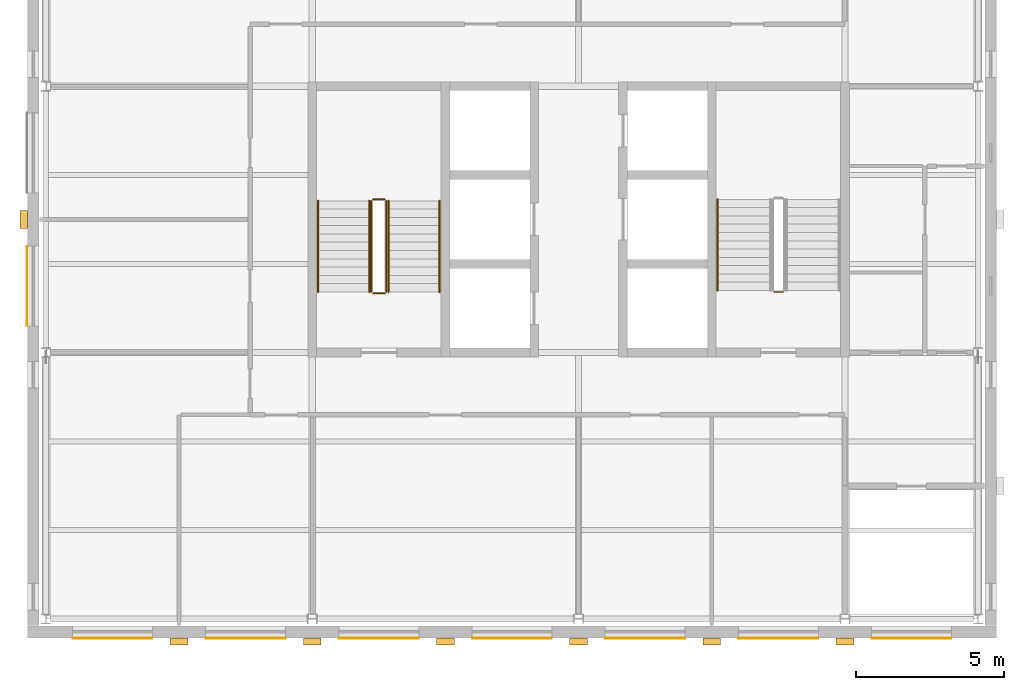
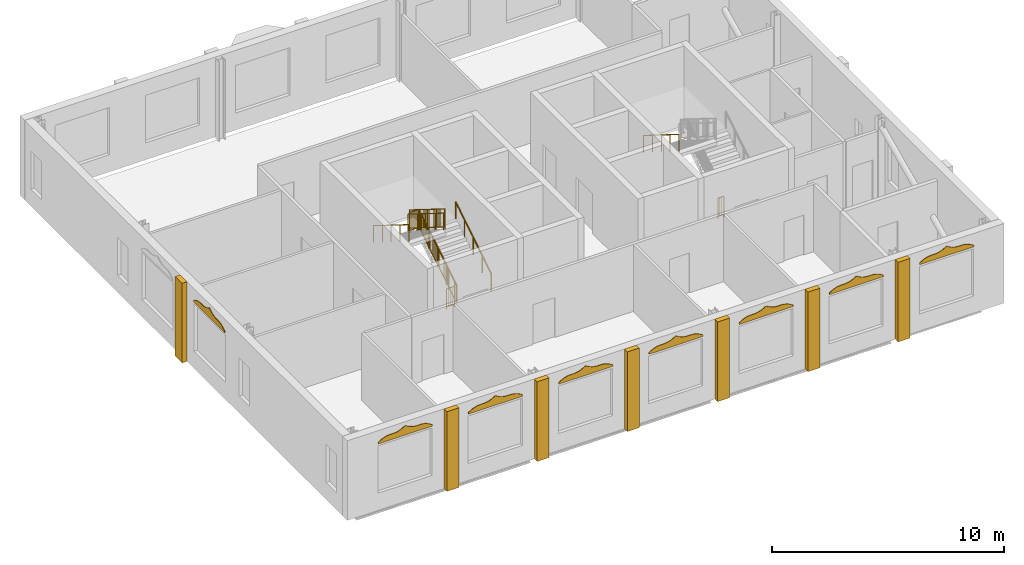
# One storey, part 8 of 9: 15 coverings, 10 railings.
"""IFC4 building model written with IfcOpenShell, lengths in metres."""

from ifc_helpers import new_model, si_unit, direction, frame, origin, origin_2d, place, context, subcontext, project, spatial, polyline, rectangle, circle, outline, extrude, material, layer, layer_set, type_object, element, save


model = new_model("IFC4")

# Units and contexts
model_context = context("Model", 3, precision=1e-05, world=origin(), true_north=direction((0.0, 1.0)))
body_context = subcontext(model_context, "Body", "Model", "MODEL_VIEW")
ifc_project = project(units=[si_unit("LENGTHUNIT", "METRE"), si_unit("AREAUNIT", "SQUARE_METRE"), si_unit("VOLUMEUNIT", "CUBIC_METRE"), si_unit("PLANEANGLEUNIT", "RADIAN"), si_unit("MASSUNIT", "GRAM", prefix="KILO")], contexts=[model_context])

# Site, building, storey
site_placement = place(None, origin())
site = spatial("IfcSite", under=ifc_project, at=site_placement, CompositionType="ELEMENT")
building_placement = place(site_placement, origin())
building = spatial("IfcBuilding", under=site, at=building_placement, Name="Hortulan Conservatory and Botanical Research Centre", CompositionType="ELEMENT")
storey_placement = place(building_placement, frame((0.0, 0.0, 40.199951171875)))
storey = spatial("IfcBuildingStorey", under=building, at=storey_placement, Name="L09", CompositionType="ELEMENT", Elevation=40.199951171875)

# Coverings
ifc_material_1 = material(Name="Faience cladding, cream glaze (non-combustible)", Category="ceramic")
ifc_layer_1 = layer(ifc_material_1, 0.030029296875)
ifc_layer_set_1 = layer_set([ifc_layer_1], Name="Faience Ogee Head Panel Cream 2700x500")
covering_type_1 = type_object("IfcCoveringType", Name="Faience Ogee Head Panel Cream 2700x500", PredefinedType="CLADDING", material=ifc_layer_set_1)
for number, where, z_axis, x_axis, name in (
    (1, (17.10009765625, -0.65087890625, 3.52001953125), (0.0, 0.0, 1.0), (-1.0, 0.0, 0.0), "Ogee head panel"),
    (2, (21.60009765625, -0.65087890625, 3.52001953125), (0.0, 0.0, 1.0), (-1.0, 0.0, 0.0), "Ogee head panel"),
):
    element("IfcCovering", number, at=place(storey_placement, frame(where, z_axis=z_axis, x_axis=x_axis)), inside=storey, type_object=covering_type_1, Name=name, PredefinedType="CLADDING", context=body_context, shape_type="SweptSolid", body=[
        extrude(outline(polyline([(0.0, 0.0), (2.699951171875, 0.0), (2.699951171875, 0.080078125), (2.58740234375, 0.148681640625), (2.47509765625, 0.208251953125), (2.362548828125, 0.252197265625), (2.25, 0.2783203125), (2.137451171875, 0.28857421875), (2.02490234375, 0.2900390625), (1.91259765625, 0.29150390625), (1.800048828125, 0.3017578125), (1.6875, 0.327880859375), (1.574951171875, 0.371826171875), (1.46240234375, 0.431396484375), (1.35009765625, 0.5), (1.237548828125, 0.431396484375), (1.125, 0.371826171875), (1.012451171875, 0.327880859375), (0.89990234375, 0.3017578125), (0.78759765625, 0.29150390625), (0.675048828125, 0.2900390625), (0.5625, 0.28857421875), (0.449951171875, 0.2783203125), (0.33740234375, 0.252197265625), (0.22509765625, 0.208251953125), (0.112548828125, 0.148681640625), (0.0, 0.080078125), (0.0, 0.0)])), frame((0.0, 0.01513671875, 0.0), z_axis=(0.0, -1.0, 0.0), x_axis=(1.0, 0.0, 0.0)), (0.0, 0.0, 1.0), 0.030029296875),
    ])
ifc_material_2 = material(Name="Faience cladding, waratah crimson glaze (non-combustible)", Category="ceramic")
ifc_layer_2 = layer(ifc_material_2, 0.030029296875)
ifc_layer_set_2 = layer_set([ifc_layer_2], Name="Faience Ogee Head Panel Crimson 2700x500")
covering_type_2 = type_object("IfcCoveringType", Name="Faience Ogee Head Panel Crimson 2700x500", PredefinedType="CLADDING", material=ifc_layer_set_2)
for number, where, z_axis, x_axis, name in (
    (3, (3.60009765625, -0.65087890625, 3.52001953125), (0.0, 0.0, 1.0), (-1.0, 0.0, 0.0), "Ogee head panel"),
    (4, (26.10009765625, -0.65087890625, 3.52001953125), (0.0, 0.0, 1.0), (-1.0, 0.0, 0.0), "Ogee head panel"),
    (5, (30.60009765625, -0.65087890625, 3.52001953125), (0.0, 0.0, 1.0), (-1.0, 0.0, 0.0), "Ogee head panel"),
):
    element("IfcCovering", number, at=place(storey_placement, frame(where, z_axis=z_axis, x_axis=x_axis)), inside=storey, type_object=covering_type_2, Name=name, PredefinedType="CLADDING", context=body_context, shape_type="SweptSolid", body=[
        extrude(outline(polyline([(0.0, 0.0), (2.699951171875, 0.0), (2.699951171875, 0.080078125), (2.58740234375, 0.148681640625), (2.47509765625, 0.208251953125), (2.362548828125, 0.252197265625), (2.25, 0.2783203125), (2.137451171875, 0.28857421875), (2.02490234375, 0.2900390625), (1.91259765625, 0.29150390625), (1.800048828125, 0.3017578125), (1.6875, 0.327880859375), (1.574951171875, 0.371826171875), (1.46240234375, 0.431396484375), (1.35009765625, 0.5), (1.237548828125, 0.431396484375), (1.125, 0.371826171875), (1.012451171875, 0.327880859375), (0.89990234375, 0.3017578125), (0.78759765625, 0.29150390625), (0.675048828125, 0.2900390625), (0.5625, 0.28857421875), (0.449951171875, 0.2783203125), (0.33740234375, 0.252197265625), (0.22509765625, 0.208251953125), (0.112548828125, 0.148681640625), (0.0, 0.080078125), (0.0, 0.0)])), frame((0.0, 0.01513671875, 0.0), z_axis=(0.0, -1.0, 0.0), x_axis=(1.0, 0.0, 0.0)), (0.0, 0.0, 1.0), 0.030029296875),
    ])
ifc_material_3 = material(Name="Faience cladding, harbour teal glaze (non-combustible)", Category="ceramic")
ifc_layer_3 = layer(ifc_material_3, 0.030029296875)
ifc_layer_set_3 = layer_set([ifc_layer_3], Name="Faience Ogee Head Panel Teal 2700x500")
covering_type_3 = type_object("IfcCoveringType", Name="Faience Ogee Head Panel Teal 2700x500", PredefinedType="CLADDING", material=ifc_layer_set_3)
for number, where, z_axis, x_axis, name in (
    (6, (8.10009765625, -0.65087890625, 3.52001953125), (0.0, 0.0, 1.0), (-1.0, 0.0, 0.0), "Ogee head panel"),
    (7, (12.60009765625, -0.65087890625, 3.52001953125), (0.0, 0.0, 1.0), (-1.0, 0.0, 0.0), "Ogee head panel"),
    (8, (-0.639892578125, 9.89990234375, 3.52001953125), (0.0, 0.0, 1.0), (0.0, 1.0, 0.0), "Ogee head panel"),
):
    element("IfcCovering", number, at=place(storey_placement, frame(where, z_axis=z_axis, x_axis=x_axis)), inside=storey, type_object=covering_type_3, Name=name, PredefinedType="CLADDING", context=body_context, shape_type="SweptSolid", body=[
        extrude(outline(polyline([(0.0, 0.0), (2.699951171875, 0.0), (2.699951171875, 0.080078125), (2.58740234375, 0.148681640625), (2.47509765625, 0.208251953125), (2.362548828125, 0.252197265625), (2.25, 0.2783203125), (2.137451171875, 0.28857421875), (2.02490234375, 0.2900390625), (1.91259765625, 0.29150390625), (1.800048828125, 0.3017578125), (1.6875, 0.327880859375), (1.574951171875, 0.371826171875), (1.46240234375, 0.431396484375), (1.35009765625, 0.5), (1.237548828125, 0.431396484375), (1.125, 0.371826171875), (1.012451171875, 0.327880859375), (0.89990234375, 0.3017578125), (0.78759765625, 0.29150390625), (0.675048828125, 0.2900390625), (0.5625, 0.28857421875), (0.449951171875, 0.2783203125), (0.33740234375, 0.252197265625), (0.22509765625, 0.208251953125), (0.112548828125, 0.148681640625), (0.0, 0.080078125), (0.0, 0.0)])), frame((0.0, 0.01513671875, 0.0), z_axis=(0.0, -1.0, 0.0), x_axis=(1.0, 0.0, 0.0)), (0.0, 0.0, 1.0), 0.030029296875),
    ])
ifc_layer_4 = layer(ifc_material_1, 0.25)
ifc_layer_set_4 = layer_set([ifc_layer_4], Name="Faience Pilaster 600x250")
covering_type_4 = type_object("IfcCoveringType", Name="Faience Pilaster 600x250", PredefinedType="CLADDING", material=ifc_layer_set_4)
for number, where, z_axis, x_axis, name in (
    (9, (27.0, -0.760986328125, 0.0), (0.0, 0.0, 1.0), (-1.0, 0.0, 0.0), "Pier"),
    (10, (22.5, -0.760986328125, 0.0), (0.0, 0.0, 1.0), (-1.0, 0.0, 0.0), "Pier"),
    (11, (18.0, -0.760986328125, 0.0), (0.0, 0.0, 1.0), (-1.0, 0.0, 0.0), "Pier"),
    (12, (13.5, -0.760986328125, 0.0), (0.0, 0.0, 1.0), (-1.0, 0.0, 0.0), "Pier"),
    (13, (9.0, -0.760986328125, 0.0), (0.0, 0.0, 1.0), (-1.0, 0.0, 0.0), "Pier"),
    (14, (4.5, -0.760986328125, 0.0), (0.0, 0.0, 1.0), (-1.0, 0.0, 0.0), "Pier"),
    (15, (-0.75, 13.5, 0.0), (0.0, 0.0, 1.0), (0.0, 1.0, 0.0), "Pier"),
):
    element("IfcCovering", number, at=place(storey_placement, frame(where, z_axis=z_axis, x_axis=x_axis)), inside=storey, type_object=covering_type_4, Name=name, PredefinedType="CLADDING", context=body_context, shape_type="SweptSolid", body=[
        extrude(rectangle(XDim=0.60009765625, YDim=0.25, at=origin_2d()), origin(), (0.0, 0.0, 1.0), 4.199951171875),
    ])

# Railings
ifc_material_4 = material(Name="Steel balustrade, bronze-charcoal paint", Category="steel")
railing_type_1 = type_object("IfcRailingType", Name="Stair Guard 1100", PredefinedType="GUARDRAIL", material=ifc_material_4)
railing_1_placement = place(storey_placement, frame((11.5, 11.050048828125, 0.175048828125)))
element("IfcRailing", 16, at=railing_1_placement, inside=storey, type_object=railing_type_1, Name="Guard T1 L09 stair 1", PredefinedType="GUARDRAIL", context=body_context, shape_type="SweptSolid", body=[
    extrude(circle(Radius=0.02392578125, at=origin_2d()), frame((0.0, 0.0, 1.076171875), z_axis=(0.0, 0.847979421464, 0.530029150871), x_axis=(-1.0, 0.0, 0.0)), (0.0, 0.0, 1.0), 3.632080078125),
    extrude(circle(Radius=0.02392578125, at=origin_2d()), frame((0.0, 0.0, 0.1240234375), z_axis=(0.0, 0.847979421464, 0.530029150871), x_axis=(-1.0, 0.0, 0.0)), (0.0, 0.0, 1.0), 3.632080078125),
    extrude(circle(Radius=0.008056640625, at=origin_2d()), frame((0.0, 0.090576171875, 0.204833984375)), (0.0, 0.0, 1.0), 0.90380859375),
    extrude(circle(Radius=0.008056640625, at=origin_2d()), frame((0.0, 0.18115234375, 0.261474609375)), (0.0, 0.0, 1.0), 0.90380859375),
    extrude(circle(Radius=0.008056640625, at=origin_2d()), frame((0.0, 0.271728515625, 0.318115234375)), (0.0, 0.0, 1.0), 0.90380859375),
    extrude(circle(Radius=0.008056640625, at=origin_2d()), frame((0.0, 0.3623046875, 0.374755859375)), (0.0, 0.0, 1.0), 0.90380859375),
    extrude(circle(Radius=0.008056640625, at=origin_2d()), frame((0.0, 0.452880859375, 0.431396484375)), (0.0, 0.0, 1.0), 0.90380859375),
    extrude(circle(Radius=0.008056640625, at=origin_2d()), frame((0.0, 0.54345703125, 0.48779296875)), (0.0, 0.0, 1.0), 0.90380859375),
    extrude(circle(Radius=0.008056640625, at=origin_2d()), frame((0.0, 0.634033203125, 0.54443359375)), (0.0, 0.0, 1.0), 0.90380859375),
    extrude(circle(Radius=0.008056640625, at=origin_2d()), frame((0.0, 0.724609375, 0.60107421875)), (0.0, 0.0, 1.0), 0.90380859375),
    extrude(circle(Radius=0.008056640625, at=origin_2d()), frame((0.0, 0.815185546875, 0.65771484375)), (0.0, 0.0, 1.0), 0.90380859375),
    extrude(circle(Radius=0.008056640625, at=origin_2d()), frame((0.0, 0.90576171875, 0.71435546875)), (0.0, 0.0, 1.0), 0.90380859375),
    extrude(circle(Radius=0.008056640625, at=origin_2d()), frame((0.0, 0.996337890625, 0.77099609375)), (0.0, 0.0, 1.0), 0.90380859375),
    extrude(circle(Radius=0.008056640625, at=origin_2d()), frame((0.0, 1.0869140625, 0.82763671875)), (0.0, 0.0, 1.0), 0.90380859375),
    extrude(circle(Radius=0.008056640625, at=origin_2d()), frame((0.0, 1.177490234375, 0.88427734375)), (0.0, 0.0, 1.0), 0.90380859375),
    extrude(circle(Radius=0.008056640625, at=origin_2d()), frame((0.0, 1.26806640625, 0.94091796875)), (0.0, 0.0, 1.0), 0.90380859375),
    extrude(circle(Radius=0.008056640625, at=origin_2d()), frame((0.0, 1.358642578125, 0.99755859375)), (0.0, 0.0, 1.0), 0.90380859375),
    extrude(circle(Radius=0.008056640625, at=origin_2d()), frame((0.0, 1.44921875, 1.05419921875)), (0.0, 0.0, 1.0), 0.90380859375),
    extrude(circle(Radius=0.008056640625, at=origin_2d()), frame((0.0, 1.5400390625, 1.11083984375)), (0.0, 0.0, 1.0), 0.90380859375),
    extrude(circle(Radius=0.008056640625, at=origin_2d()), frame((0.0, 1.630615234375, 1.167236328125)), (0.0, 0.0, 1.0), 0.90380859375),
    extrude(circle(Radius=0.008056640625, at=origin_2d()), frame((0.0, 1.72119140625, 1.223876953125)), (0.0, 0.0, 1.0), 0.90380859375),
    extrude(circle(Radius=0.008056640625, at=origin_2d()), frame((0.0, 1.811767578125, 1.280517578125)), (0.0, 0.0, 1.0), 0.90380859375),
    extrude(circle(Radius=0.008056640625, at=origin_2d()), frame((0.0, 1.90234375, 1.337158203125)), (0.0, 0.0, 1.0), 0.90380859375),
    extrude(circle(Radius=0.008056640625, at=origin_2d()), frame((0.0, 1.992919921875, 1.393798828125)), (0.0, 0.0, 1.0), 0.90380859375),
    extrude(circle(Radius=0.008056640625, at=origin_2d()), frame((0.0, 2.08349609375, 1.450439453125)), (0.0, 0.0, 1.0), 0.90380859375),
    extrude(circle(Radius=0.008056640625, at=origin_2d()), frame((0.0, 2.174072265625, 1.507080078125)), (0.0, 0.0, 1.0), 0.90380859375),
    extrude(circle(Radius=0.008056640625, at=origin_2d()), frame((0.0, 2.2646484375, 1.563720703125)), (0.0, 0.0, 1.0), 0.90380859375),
    extrude(circle(Radius=0.008056640625, at=origin_2d()), frame((0.0, 2.355224609375, 1.620361328125)), (0.0, 0.0, 1.0), 0.90380859375),
    extrude(circle(Radius=0.008056640625, at=origin_2d()), frame((0.0, 2.44580078125, 1.677001953125)), (0.0, 0.0, 1.0), 0.90380859375),
    extrude(circle(Radius=0.008056640625, at=origin_2d()), frame((0.0, 2.536376953125, 1.733642578125)), (0.0, 0.0, 1.0), 0.90380859375),
    extrude(circle(Radius=0.008056640625, at=origin_2d()), frame((0.0, 2.626953125, 1.7900390625)), (0.0, 0.0, 1.0), 0.90380859375),
    extrude(circle(Radius=0.008056640625, at=origin_2d()), frame((0.0, 2.717529296875, 1.8466796875)), (0.0, 0.0, 1.0), 0.90380859375),
    extrude(circle(Radius=0.008056640625, at=origin_2d()), frame((0.0, 2.80810546875, 1.9033203125)), (0.0, 0.0, 1.0), 0.90380859375),
    extrude(circle(Radius=0.008056640625, at=origin_2d()), frame((0.0, 2.898681640625, 1.9599609375)), (0.0, 0.0, 1.0), 0.90380859375),
    extrude(circle(Radius=0.008056640625, at=origin_2d()), frame((0.0, 2.9892578125, 2.0166015625)), (0.0, 0.0, 1.0), 0.90380859375),
    extrude(circle(Radius=0.02099609375, at=origin_2d()), origin(), (0.0, 0.0, 1.0), 1.052001953125),
    extrude(circle(Radius=0.02099609375, at=origin_2d()), frame((0.0, 0.77001953125, 0.481201171875)), (0.0, 0.0, 1.0), 1.052001953125),
    extrude(circle(Radius=0.02099609375, at=origin_2d()), frame((0.0, 1.5400390625, 0.96240234375)), (0.0, 0.0, 1.0), 1.052001953125),
    extrude(circle(Radius=0.02099609375, at=origin_2d()), frame((0.0, 2.309814453125, 1.44384765625)), (0.0, 0.0, 1.0), 1.052001953125),
    extrude(circle(Radius=0.02099609375, at=origin_2d()), frame((0.0, 3.079833984375, 1.925048828125)), (0.0, 0.0, 1.0), 1.052001953125),
])
railing_2_placement = place(storey_placement, frame((11.449951171875, 14.179931640625, 2.10009765625)))
element("IfcRailing", 17, at=railing_2_placement, inside=storey, type_object=railing_type_1, Name="Guard T1 L09 stair 2", PredefinedType="GUARDRAIL", context=body_context, shape_type="SweptSolid", body=[
    extrude(circle(Radius=0.02392578125, at=origin_2d()), frame((0.0, 0.0, 1.076171875), z_axis=(-1.0, 0.0, 0.0), x_axis=(0.0, -1.0, 0.0)), (0.0, 0.0, 1.0), 0.39990234375),
    extrude(circle(Radius=0.02392578125, at=origin_2d()), frame((0.0, 0.0, 0.1240234375), z_axis=(-1.0, 0.0, 0.0), x_axis=(0.0, -1.0, 0.0)), (0.0, 0.0, 1.0), 0.39990234375),
    extrude(circle(Radius=0.008056640625, at=origin_2d()), frame((-0.10009765625, 0.0, 0.148193359375)), (0.0, 0.0, 1.0), 0.90380859375),
    extrude(circle(Radius=0.008056640625, at=origin_2d()), frame((-0.199951171875, 0.0, 0.148193359375)), (0.0, 0.0, 1.0), 0.90380859375),
    extrude(circle(Radius=0.008056640625, at=origin_2d()), frame((-0.2998046875, 0.0, 0.148193359375)), (0.0, 0.0, 1.0), 0.90380859375),
    extrude(circle(Radius=0.02099609375, at=origin_2d()), origin(), (0.0, 0.0, 1.0), 1.052001953125),
    extrude(circle(Radius=0.02099609375, at=origin_2d()), frame((-0.39990234375, 0.0, 0.0)), (0.0, 0.0, 1.0), 1.052001953125),
])
railing_3_placement = place(storey_placement, frame((11.0, 14.1298828125, 2.275146484375)))
element("IfcRailing", 18, at=railing_3_placement, inside=storey, type_object=railing_type_1, Name="Guard T1 L09 stair 3", PredefinedType="GUARDRAIL", context=body_context, shape_type="SweptSolid", body=[
    extrude(circle(Radius=0.02392578125, at=origin_2d()), frame((0.0, 0.0, 1.076171875), z_axis=(0.0, -0.848009633417, 0.529980812513), x_axis=(1.0, 0.0, 0.0)), (0.0, 0.0, 1.0), 3.6318359375),
    extrude(circle(Radius=0.02392578125, at=origin_2d()), frame((0.0, 0.0, 0.1240234375), z_axis=(0.0, -0.848009633417, 0.529980812513), x_axis=(1.0, 0.0, 0.0)), (0.0, 0.0, 1.0), 3.6318359375),
    extrude(circle(Radius=0.008056640625, at=origin_2d()), frame((0.0, -0.090576171875, 0.204833984375)), (0.0, 0.0, 1.0), 0.90380859375),
    extrude(circle(Radius=0.008056640625, at=origin_2d()), frame((0.0, -0.18115234375, 0.261474609375)), (0.0, 0.0, 1.0), 0.90380859375),
    extrude(circle(Radius=0.008056640625, at=origin_2d()), frame((0.0, -0.271728515625, 0.318115234375)), (0.0, 0.0, 1.0), 0.90380859375),
    extrude(circle(Radius=0.008056640625, at=origin_2d()), frame((0.0, -0.3623046875, 0.374755859375)), (0.0, 0.0, 1.0), 0.90380859375),
    extrude(circle(Radius=0.008056640625, at=origin_2d()), frame((0.0, -0.452880859375, 0.43115234375)), (0.0, 0.0, 1.0), 0.90380859375),
    extrude(circle(Radius=0.008056640625, at=origin_2d()), frame((0.0, -0.54345703125, 0.48779296875)), (0.0, 0.0, 1.0), 0.90380859375),
    extrude(circle(Radius=0.008056640625, at=origin_2d()), frame((0.0, -0.634033203125, 0.54443359375)), (0.0, 0.0, 1.0), 0.90380859375),
    extrude(circle(Radius=0.008056640625, at=origin_2d()), frame((0.0, -0.724609375, 0.60107421875)), (0.0, 0.0, 1.0), 0.90380859375),
    extrude(circle(Radius=0.008056640625, at=origin_2d()), frame((0.0, -0.815185546875, 0.65771484375)), (0.0, 0.0, 1.0), 0.90380859375),
    extrude(circle(Radius=0.008056640625, at=origin_2d()), frame((0.0, -0.90576171875, 0.71435546875)), (0.0, 0.0, 1.0), 0.90380859375),
    extrude(circle(Radius=0.008056640625, at=origin_2d()), frame((0.0, -0.996337890625, 0.77099609375)), (0.0, 0.0, 1.0), 0.90380859375),
    extrude(circle(Radius=0.008056640625, at=origin_2d()), frame((0.0, -1.0869140625, 0.82763671875)), (0.0, 0.0, 1.0), 0.90380859375),
    extrude(circle(Radius=0.008056640625, at=origin_2d()), frame((0.0, -1.177490234375, 0.884033203125)), (0.0, 0.0, 1.0), 0.90380859375),
    extrude(circle(Radius=0.008056640625, at=origin_2d()), frame((0.0, -1.26806640625, 0.940673828125)), (0.0, 0.0, 1.0), 0.90380859375),
    extrude(circle(Radius=0.008056640625, at=origin_2d()), frame((0.0, -1.358642578125, 0.997314453125)), (0.0, 0.0, 1.0), 0.90380859375),
    extrude(circle(Radius=0.008056640625, at=origin_2d()), frame((0.0, -1.44921875, 1.053955078125)), (0.0, 0.0, 1.0), 0.90380859375),
    extrude(circle(Radius=0.008056640625, at=origin_2d()), frame((0.0, -1.5400390625, 1.110595703125)), (0.0, 0.0, 1.0), 0.90380859375),
    extrude(circle(Radius=0.008056640625, at=origin_2d()), frame((0.0, -1.630615234375, 1.167236328125)), (0.0, 0.0, 1.0), 0.90380859375),
    extrude(circle(Radius=0.008056640625, at=origin_2d()), frame((0.0, -1.72119140625, 1.223876953125)), (0.0, 0.0, 1.0), 0.90380859375),
    extrude(circle(Radius=0.008056640625, at=origin_2d()), frame((0.0, -1.811767578125, 1.280517578125)), (0.0, 0.0, 1.0), 0.90380859375),
    extrude(circle(Radius=0.008056640625, at=origin_2d()), frame((0.0, -1.90234375, 1.337158203125)), (0.0, 0.0, 1.0), 0.90380859375),
    extrude(circle(Radius=0.008056640625, at=origin_2d()), frame((0.0, -1.992919921875, 1.3935546875)), (0.0, 0.0, 1.0), 0.90380859375),
    extrude(circle(Radius=0.008056640625, at=origin_2d()), frame((0.0, -2.08349609375, 1.4501953125)), (0.0, 0.0, 1.0), 0.90380859375),
    extrude(circle(Radius=0.008056640625, at=origin_2d()), frame((0.0, -2.174072265625, 1.5068359375)), (0.0, 0.0, 1.0), 0.90380859375),
    extrude(circle(Radius=0.008056640625, at=origin_2d()), frame((0.0, -2.2646484375, 1.5634765625)), (0.0, 0.0, 1.0), 0.90380859375),
    extrude(circle(Radius=0.008056640625, at=origin_2d()), frame((0.0, -2.355224609375, 1.6201171875)), (0.0, 0.0, 1.0), 0.90380859375),
    extrude(circle(Radius=0.008056640625, at=origin_2d()), frame((0.0, -2.44580078125, 1.6767578125)), (0.0, 0.0, 1.0), 0.90380859375),
    extrude(circle(Radius=0.008056640625, at=origin_2d()), frame((0.0, -2.536376953125, 1.7333984375)), (0.0, 0.0, 1.0), 0.90380859375),
    extrude(circle(Radius=0.008056640625, at=origin_2d()), frame((0.0, -2.626953125, 1.7900390625)), (0.0, 0.0, 1.0), 0.90380859375),
    extrude(circle(Radius=0.008056640625, at=origin_2d()), frame((0.0, -2.717529296875, 1.846435546875)), (0.0, 0.0, 1.0), 0.90380859375),
    extrude(circle(Radius=0.008056640625, at=origin_2d()), frame((0.0, -2.80810546875, 1.903076171875)), (0.0, 0.0, 1.0), 0.90380859375),
    extrude(circle(Radius=0.008056640625, at=origin_2d()), frame((0.0, -2.898681640625, 1.959716796875)), (0.0, 0.0, 1.0), 0.90380859375),
    extrude(circle(Radius=0.008056640625, at=origin_2d()), frame((0.0, -2.9892578125, 2.016357421875)), (0.0, 0.0, 1.0), 0.90380859375),
    extrude(circle(Radius=0.02099609375, at=origin_2d()), origin(), (0.0, 0.0, 1.0), 1.052001953125),
    extrude(circle(Radius=0.02099609375, at=origin_2d()), frame((0.0, -0.77001953125, 0.481201171875)), (0.0, 0.0, 1.0), 1.052001953125),
    extrude(circle(Radius=0.02099609375, at=origin_2d()), frame((0.0, -1.5400390625, 0.96240234375)), (0.0, 0.0, 1.0), 1.052001953125),
    extrude(circle(Radius=0.02099609375, at=origin_2d()), frame((0.0, -2.309814453125, 1.443603515625)), (0.0, 0.0, 1.0), 1.052001953125),
    extrude(circle(Radius=0.02099609375, at=origin_2d()), frame((0.0, -3.079833984375, 1.9248046875)), (0.0, 0.0, 1.0), 1.052001953125),
])
railing_4_placement = place(storey_placement, frame((11.449951171875, 11.0, 0.0)))
element("IfcRailing", 19, at=railing_4_placement, inside=storey, type_object=railing_type_1, Name="Guard T1 L09 stair 4", PredefinedType="GUARDRAIL", context=body_context, shape_type="SweptSolid", body=[
    extrude(circle(Radius=0.02392578125, at=origin_2d()), frame((0.0, 0.0, 1.076171875), z_axis=(-1.0, 0.0, 0.0), x_axis=(0.0, -1.0, 0.0)), (0.0, 0.0, 1.0), 0.39990234375),
    extrude(circle(Radius=0.02392578125, at=origin_2d()), frame((0.0, 0.0, 0.1240234375), z_axis=(-1.0, 0.0, 0.0), x_axis=(0.0, -1.0, 0.0)), (0.0, 0.0, 1.0), 0.39990234375),
    extrude(circle(Radius=0.008056640625, at=origin_2d()), frame((-0.10009765625, 0.0, 0.148193359375)), (0.0, 0.0, 1.0), 0.90380859375),
    extrude(circle(Radius=0.008056640625, at=origin_2d()), frame((-0.199951171875, 0.0, 0.148193359375)), (0.0, 0.0, 1.0), 0.90380859375),
    extrude(circle(Radius=0.008056640625, at=origin_2d()), frame((-0.2998046875, 0.0, 0.148193359375)), (0.0, 0.0, 1.0), 0.90380859375),
    extrude(circle(Radius=0.02099609375, at=origin_2d()), origin(), (0.0, 0.0, 1.0), 1.052001953125),
    extrude(circle(Radius=0.02099609375, at=origin_2d()), frame((-0.39990234375, 0.0, 0.0)), (0.0, 0.0, 1.0), 1.052001953125),
])
railing_5_placement = place(storey_placement, frame((24.89990234375, 11.050048828125, 0.0)))
element("IfcRailing", 20, at=railing_5_placement, inside=storey, type_object=railing_type_1, Name="Guard T2 L09 stair 4", PredefinedType="GUARDRAIL", context=body_context, shape_type="SweptSolid", body=[
    extrude(circle(Radius=0.02392578125, at=origin_2d()), frame((0.0, 0.0, 1.076171875), z_axis=(-1.0, 0.0, 0.0), x_axis=(0.0, -1.0, 0.0)), (0.0, 0.0, 1.0), 0.2998046875),
    extrude(circle(Radius=0.02392578125, at=origin_2d()), frame((0.0, 0.0, 0.1240234375), z_axis=(-1.0, 0.0, 0.0), x_axis=(0.0, -1.0, 0.0)), (0.0, 0.0, 1.0), 0.2998046875),
    extrude(circle(Radius=0.008056640625, at=origin_2d()), frame((-0.099853515625, 0.0, 0.148193359375)), (0.0, 0.0, 1.0), 0.90380859375),
    extrude(circle(Radius=0.008056640625, at=origin_2d()), frame((-0.199951171875, 0.0, 0.148193359375)), (0.0, 0.0, 1.0), 0.90380859375),
    extrude(circle(Radius=0.02099609375, at=origin_2d()), origin(), (0.0, 0.0, 1.0), 1.052001953125),
    extrude(circle(Radius=0.02099609375, at=origin_2d()), frame((-0.2998046875, 0.0, 0.0)), (0.0, 0.0, 1.0), 1.052001953125),
])
ifc_material_5 = material(Name="Bronze handrail, polished", Category="metal")
railing_type_2 = type_object("IfcRailingType", Name="Stair Handrail 900", PredefinedType="HANDRAIL", material=ifc_material_5)
railing_6_placement = place(storey_placement, frame((13.300048828125, 11.050048828125, 0.175048828125)))
element("IfcRailing", 21, at=railing_6_placement, inside=storey, type_object=railing_type_2, Name="Handrail T1 L09 stair 1", PredefinedType="HANDRAIL", context=body_context, shape_type="SweptSolid", body=[
    extrude(circle(Radius=0.02392578125, at=origin_2d()), frame((0.0, 0.0, 0.8759765625), z_axis=(0.0, 0.847979421464, 0.530029150871), x_axis=(-1.0, 0.0, 0.0)), (0.0, 0.0, 1.0), 3.632080078125),
    extrude(circle(Radius=0.02099609375, at=origin_2d()), origin(), (0.0, 0.0, 1.0), 0.851806640625),
    extrude(circle(Radius=0.02099609375, at=origin_2d()), frame((0.0, 0.77001953125, 0.481201171875)), (0.0, 0.0, 1.0), 0.851806640625),
    extrude(circle(Radius=0.02099609375, at=origin_2d()), frame((0.0, 1.5400390625, 0.96240234375)), (0.0, 0.0, 1.0), 0.851806640625),
    extrude(circle(Radius=0.02099609375, at=origin_2d()), frame((0.0, 2.309814453125, 1.44384765625)), (0.0, 0.0, 1.0), 0.851806640625),
    extrude(circle(Radius=0.02099609375, at=origin_2d()), frame((0.0, 3.079833984375, 1.925048828125)), (0.0, 0.0, 1.0), 0.851806640625),
])
railing_7_placement = place(storey_placement, frame((9.199951171875, 14.1298828125, 2.275146484375)))
element("IfcRailing", 22, at=railing_7_placement, inside=storey, type_object=railing_type_2, Name="Handrail T1 L09 stair 2", PredefinedType="HANDRAIL", context=body_context, shape_type="SweptSolid", body=[
    extrude(circle(Radius=0.02392578125, at=origin_2d()), frame((0.0, 0.0, 0.8759765625), z_axis=(0.0, -0.848009633417, 0.529980812513), x_axis=(1.0, 0.0, 0.0)), (0.0, 0.0, 1.0), 3.6318359375),
    extrude(circle(Radius=0.02099609375, at=origin_2d()), origin(), (0.0, 0.0, 1.0), 0.851806640625),
    extrude(circle(Radius=0.02099609375, at=origin_2d()), frame((0.0, -0.77001953125, 0.481201171875)), (0.0, 0.0, 1.0), 0.851806640625),
    extrude(circle(Radius=0.02099609375, at=origin_2d()), frame((0.0, -1.5400390625, 0.96240234375)), (0.0, 0.0, 1.0), 0.851806640625),
    extrude(circle(Radius=0.02099609375, at=origin_2d()), frame((0.0, -2.309814453125, 1.443603515625)), (0.0, 0.0, 1.0), 0.851806640625),
    extrude(circle(Radius=0.02099609375, at=origin_2d()), frame((0.0, -3.079833984375, 1.9248046875)), (0.0, 0.0, 1.0), 0.851806640625),
])
railing_8_placement = place(storey_placement, frame((11.570068359375, 11.050048828125, 0.175048828125)))
element("IfcRailing", 23, at=railing_8_placement, inside=storey, type_object=railing_type_2, Name="Handrail T1 L09 stair 3", PredefinedType="HANDRAIL", context=body_context, shape_type="SweptSolid", body=[
    extrude(circle(Radius=0.02392578125, at=origin_2d()), frame((0.0, 0.0, 0.8759765625), z_axis=(0.0, 0.847979421464, 0.530029150871), x_axis=(-1.0, 0.0, 0.0)), (0.0, 0.0, 1.0), 3.632080078125),
    extrude(circle(Radius=0.02099609375, at=origin_2d()), origin(), (0.0, 0.0, 1.0), 0.851806640625),
    extrude(circle(Radius=0.02099609375, at=origin_2d()), frame((0.0, 0.77001953125, 0.481201171875)), (0.0, 0.0, 1.0), 0.851806640625),
    extrude(circle(Radius=0.02099609375, at=origin_2d()), frame((0.0, 1.5400390625, 0.96240234375)), (0.0, 0.0, 1.0), 0.851806640625),
    extrude(circle(Radius=0.02099609375, at=origin_2d()), frame((0.0, 2.309814453125, 1.44384765625)), (0.0, 0.0, 1.0), 0.851806640625),
    extrude(circle(Radius=0.02099609375, at=origin_2d()), frame((0.0, 3.079833984375, 1.925048828125)), (0.0, 0.0, 1.0), 0.851806640625),
])
for number, where, name in (
    (24, (10.929931640625, 14.1298828125, 2.275146484375), "Handrail T1 L09 stair 4"),
    (25, (22.699951171875, 14.179931640625, 2.275146484375), "Handrail T2 L09 stair 2"),
):
    element("IfcRailing", number, at=place(storey_placement, frame(where)), inside=storey, type_object=railing_type_2, Name=name, PredefinedType="HANDRAIL", context=body_context, shape_type="SweptSolid", body=[
        extrude(circle(Radius=0.02392578125, at=origin_2d()), frame((0.0, 0.0, 0.8759765625), z_axis=(0.0, -0.848009633417, 0.529980812513), x_axis=(1.0, 0.0, 0.0)), (0.0, 0.0, 1.0), 3.6318359375),
        extrude(circle(Radius=0.02099609375, at=origin_2d()), origin(), (0.0, 0.0, 1.0), 0.851806640625),
        extrude(circle(Radius=0.02099609375, at=origin_2d()), frame((0.0, -0.77001953125, 0.481201171875)), (0.0, 0.0, 1.0), 0.851806640625),
        extrude(circle(Radius=0.02099609375, at=origin_2d()), frame((0.0, -1.5400390625, 0.96240234375)), (0.0, 0.0, 1.0), 0.851806640625),
        extrude(circle(Radius=0.02099609375, at=origin_2d()), frame((0.0, -2.309814453125, 1.443603515625)), (0.0, 0.0, 1.0), 0.851806640625),
        extrude(circle(Radius=0.02099609375, at=origin_2d()), frame((0.0, -3.079833984375, 1.9248046875)), (0.0, 0.0, 1.0), 0.851806640625),
    ])

save(model, "model.ifc")
